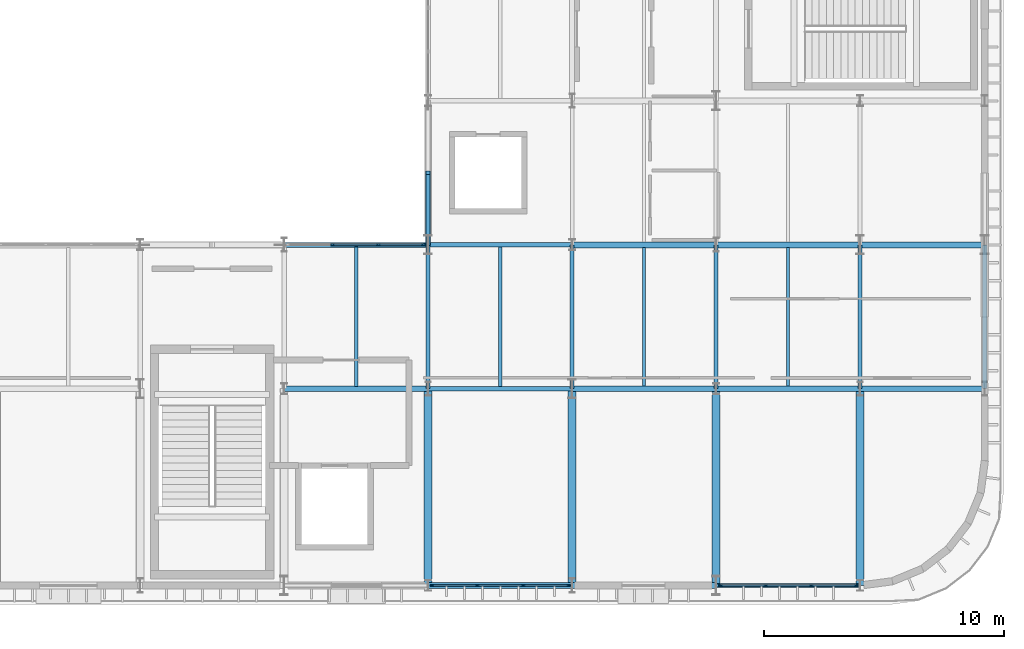
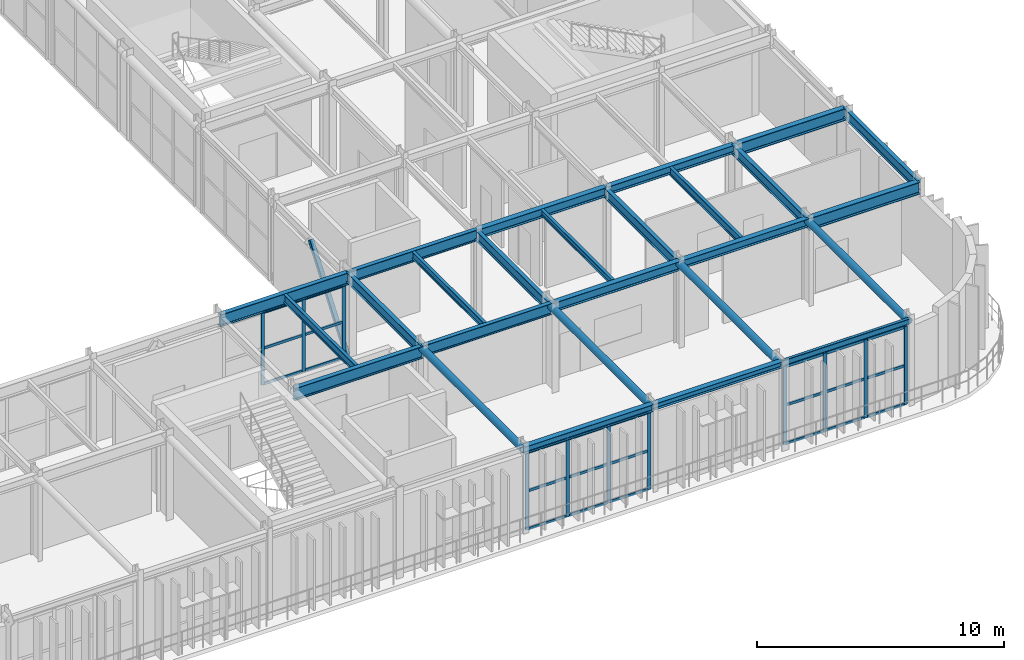
# One storey, part 42 of 84: 36 members, 26 beams, 3 elements without a shape of their own.
"""IFC4 building model written with IfcOpenShell, lengths in metres."""

from ifc_helpers import new_model, si_unit, direction, frame, origin, origin_2d, place, context, subcontext, project, spatial, rectangle, hollow_rectangle, hollow_circle, i_section, extrude, material, material_profile, profile_set, type_object, element, aggregate, save


model = new_model("IFC4")

# Units and contexts
model_context = context("Model", 3, precision=1e-05, world=origin(), true_north=direction((0.0, 1.0)))
body_context = subcontext(model_context, "Body", "Model", "MODEL_VIEW")
ifc_project = project(units=[si_unit("LENGTHUNIT", "METRE"), si_unit("AREAUNIT", "SQUARE_METRE"), si_unit("VOLUMEUNIT", "CUBIC_METRE"), si_unit("PLANEANGLEUNIT", "RADIAN"), si_unit("MASSUNIT", "GRAM", prefix="KILO")], contexts=[model_context])

# Site, building, storey
site_placement = place(None, origin())
site = spatial("IfcSite", under=ifc_project, at=site_placement, CompositionType="ELEMENT")
building_placement = place(site_placement, origin())
building = spatial("IfcBuilding", under=site, at=building_placement, Name="Varnakota Square Police Headquarters", CompositionType="ELEMENT")
storey_placement = place(building_placement, frame((0.0, 0.0, 13.5)))
storey = spatial("IfcBuildingStorey", under=building, at=storey_placement, Name="L03", CompositionType="ELEMENT", Elevation=13.5)

# Beams
ifc_material_1 = material(Name="Steel IS 2062 Grade 350", Category="steel")
ifc_material_profile_1 = material_profile(ifc_material_1, hollow_circle(Radius=0.161865234375, WallThickness=0.0126953125, at=origin_2d()), Name="CHS 323.9x12.7")
ifc_profile_set_1 = profile_set([ifc_material_profile_1], Name="Steel IS 2062 Grade 350")
beam_type_1 = type_object("IfcBeamType", Name="BM-ARC-CHS324", PredefinedType="BEAM", material=ifc_profile_set_1)
for number, where, z_axis, x_axis, name in (
    (1, (138.0, 0.800048828125, 4.0380859375), (0.0, 1.0, 0.0), (-1.0, 0.0, 0.0), "BMG-L03-2713"),
    (2, (144.0, 0.800048828125, 4.0380859375), (0.0, 1.0, 0.0), (-1.0, 0.0, 0.0), "BMG-L03-2727"),
    (3, (150.0, 0.800048828125, 4.0380859375), (0.0, 1.0, 0.0), (-1.0, 0.0, 0.0), "BMG-L03-2741"),
    (4, (156.0, 0.800048828125, 4.0380859375), (0.0, 1.0, 0.0), (-1.0, 0.0, 0.0), "BMG-L03-2748"),
):
    element("IfcBeam", number, at=place(storey_placement, frame(where, z_axis=z_axis, x_axis=x_axis)), inside=storey, type_object=beam_type_1, Name=name, PredefinedType="BEAM", context=body_context, shape_type="SweptSolid", body=[
        extrude(hollow_circle(Radius=0.161865234375, WallThickness=0.0126953125, at=origin_2d()), origin(), (0.0, 0.0, 1.0), 8.199951171875),
    ])
ifc_material_profile_2 = material_profile(ifc_material_1, hollow_rectangle(XDim=0.14990234375, YDim=0.25, WallThickness=0.010009765625, InnerFilletRadius=0.010009765625, OuterFilletRadius=0.02001953125, at=origin_2d()), Name="RHS 250x150x10")
ifc_profile_set_2 = profile_set([ifc_material_profile_2], Name="Steel IS 2062 Grade 350")
beam_type_2 = type_object("IfcBeamType", Name="BM-CBEAM-RHS250", PredefinedType="BEAM", material=ifc_profile_set_2)
beam_1_placement = place(storey_placement, frame((150.0, 0.800048828125, 4.074951171875), z_axis=(1.0, 0.0, 0.0), x_axis=(0.0, 1.0, 0.0)))
element("IfcBeam", 5, at=beam_1_placement, inside=storey, type_object=beam_type_2, Name="BMG-L03-2427", PredefinedType="BEAM", context=body_context, shape_type="SweptSolid", body=[
    extrude(hollow_rectangle(XDim=0.14990234375, YDim=0.25, WallThickness=0.010009765625, InnerFilletRadius=0.010009765625, OuterFilletRadius=0.02001953125, at=origin_2d()), origin(), (0.0, 0.0, 1.0), 6.0),
])
ifc_material_profile_3 = material_profile(ifc_material_1, i_section(OverallWidth=0.25, OverallDepth=0.300048828125, WebThickness=0.009521484375, FlangeThickness=0.010498046875, FilletRadius=0.011962890625, at=origin_2d()), Name="ISHB 300")
ifc_profile_set_3 = profile_set([ifc_material_profile_3], Name="Steel IS 2062 Grade 350")
beam_type_3 = type_object("IfcBeamType", Name="BM-ISHB300", PredefinedType="BEAM", material=ifc_profile_set_3)
beam_2_placement = place(storey_placement, frame((144.0, 0.800048828125, 4.050048828125), z_axis=(1.0, 0.0, 0.0), x_axis=(0.0, 1.0, 0.0)))
element("IfcBeam", 6, at=beam_2_placement, inside=storey, type_object=beam_type_3, Name="BMG-L03-2426", PredefinedType="BEAM", context=body_context, shape_type="SweptSolid", body=[
    extrude(i_section(OverallWidth=0.25, OverallDepth=0.300048828125, WebThickness=0.009521484375, FlangeThickness=0.010498046875, FilletRadius=0.011962890625, at=origin_2d()), origin(), (0.0, 0.0, 1.0), 6.0),
])
ifc_material_profile_4 = material_profile(ifc_material_1, i_section(OverallWidth=0.25, OverallDepth=0.35009765625, WebThickness=0.010009765625, FlangeThickness=0.01171875, FilletRadius=0.011962890625, at=origin_2d()), Name="ISHB 350")
ifc_profile_set_4 = profile_set([ifc_material_profile_4], Name="Steel IS 2062 Grade 350")
beam_type_4 = type_object("IfcBeamType", Name="BM-ISHB350", PredefinedType="BEAM", material=ifc_profile_set_4)
beam_3_placement = place(storey_placement, frame((138.0, 0.800048828125, 4.02490234375), z_axis=(1.0, 0.0, 0.0), x_axis=(0.0, 1.0, 0.0)))
element("IfcBeam", 7, at=beam_3_placement, inside=storey, type_object=beam_type_4, Name="BMG-L03-2425", PredefinedType="BEAM", context=body_context, shape_type="SweptSolid", body=[
    extrude(i_section(OverallWidth=0.25, OverallDepth=0.35009765625, WebThickness=0.010009765625, FlangeThickness=0.01171875, FilletRadius=0.011962890625, at=origin_2d()), origin(), (0.0, 0.0, 1.0), 6.0),
])
ifc_material_profile_5 = material_profile(ifc_material_1, i_section(OverallWidth=0.25, OverallDepth=0.39990234375, WebThickness=0.010498046875, FlangeThickness=0.0126953125, FilletRadius=0.013916015625, at=origin_2d()), Name="ISHB 400")
ifc_profile_set_5 = profile_set([ifc_material_profile_5], Name="Steel IS 2062 Grade 350")
beam_type_5 = type_object("IfcBeamType", Name="BM-ISHB400", PredefinedType="BEAM", material=ifc_profile_set_5)
for number, where, z_axis, x_axis, name in (
    (8, (150.0, 9.0, 4.0), (1.0, 0.0, 0.0), (0.0, 1.0, 0.0), "BMG-L03-2434"),
    (9, (150.0, 15.0, 4.0), (1.0, 0.0, 0.0), (0.0, 1.0, 0.0), "BMG-L03-2443"),
):
    element("IfcBeam", number, at=place(storey_placement, frame(where, z_axis=z_axis, x_axis=x_axis)), inside=storey, type_object=beam_type_5, Name=name, PredefinedType="BEAM", context=body_context, shape_type="SweptSolid", body=[
        extrude(i_section(OverallWidth=0.25, OverallDepth=0.39990234375, WebThickness=0.010498046875, FlangeThickness=0.0126953125, FilletRadius=0.013916015625, at=origin_2d()), origin(), (0.0, 0.0, 1.0), 6.0),
    ])
ifc_material_profile_6 = material_profile(ifc_material_1, i_section(OverallWidth=0.25, OverallDepth=0.449951171875, WebThickness=0.01123046875, FlangeThickness=0.013671875, FilletRadius=0.014892578125, at=origin_2d()), Name="ISHB 450")
ifc_profile_set_6 = profile_set([ifc_material_profile_6], Name="Steel IS 2062 Grade 350")
beam_type_6 = type_object("IfcBeamType", Name="BM-ISHB450", PredefinedType="BEAM", material=ifc_profile_set_6)
for number, where, z_axis, x_axis, name in (
    (10, (144.0, 9.0, 3.97509765625), (1.0, 0.0, 0.0), (0.0, 1.0, 0.0), "BMG-L03-2433"),
    (11, (144.0, 15.0, 3.97509765625), (1.0, 0.0, 0.0), (0.0, 1.0, 0.0), "BMG-L03-2442"),
):
    element("IfcBeam", number, at=place(storey_placement, frame(where, z_axis=z_axis, x_axis=x_axis)), inside=storey, type_object=beam_type_6, Name=name, PredefinedType="BEAM", context=body_context, shape_type="SweptSolid", body=[
        extrude(i_section(OverallWidth=0.25, OverallDepth=0.449951171875, WebThickness=0.01123046875, FlangeThickness=0.013671875, FilletRadius=0.014892578125, at=origin_2d()), origin(), (0.0, 0.0, 1.0), 6.0),
    ])
ifc_material_profile_7 = material_profile(ifc_material_1, i_section(OverallWidth=0.139892578125, OverallDepth=0.300048828125, WebThickness=0.0078125, FlangeThickness=0.01318359375, FilletRadius=0.013916015625, at=origin_2d()), Name="ISMB 300")
ifc_profile_set_7 = profile_set([ifc_material_profile_7], Name="Steel IS 2062 Grade 350")
beam_type_7 = type_object("IfcBeamType", Name="BM-ISMB300", PredefinedType="JOIST", material=ifc_profile_set_7)
beam_4_placement = place(storey_placement, frame((147.0, 9.123046875, 4.050048828125), z_axis=(0.0, 1.0, 0.0), x_axis=(-1.0, 0.0, 0.0)))
element("IfcBeam", 12, at=beam_4_placement, inside=storey, type_object=beam_type_7, Name="BMG-L03-2832", PredefinedType="JOIST", context=body_context, shape_type="SweptSolid", body=[
    extrude(i_section(OverallWidth=0.139892578125, OverallDepth=0.300048828125, WebThickness=0.0078125, FlangeThickness=0.01318359375, FilletRadius=0.013916015625, at=origin_2d()), origin(), (0.0, 0.0, 1.0), 5.75390625),
])
ifc_material_profile_8 = material_profile(ifc_material_1, i_section(OverallWidth=0.139892578125, OverallDepth=0.35009765625, WebThickness=0.008056640625, FlangeThickness=0.01416015625, FilletRadius=0.013916015625, at=origin_2d()), Name="ISMB 350")
ifc_profile_set_8 = profile_set([ifc_material_profile_8], Name="Steel IS 2062 Grade 350")
beam_type_8 = type_object("IfcBeamType", Name="BM-ISMB350", PredefinedType="JOIST", material=ifc_profile_set_8)
beam_5_placement = place(storey_placement, frame((141.0, 9.093017578125, 4.02490234375), z_axis=(0.0, 1.0, 0.0), x_axis=(-1.0, 0.0, 0.0)))
element("IfcBeam", 13, at=beam_5_placement, inside=storey, type_object=beam_type_8, Name="BMG-L03-2823", PredefinedType="JOIST", context=body_context, shape_type="SweptSolid", body=[
    extrude(i_section(OverallWidth=0.139892578125, OverallDepth=0.35009765625, WebThickness=0.008056640625, FlangeThickness=0.01416015625, FilletRadius=0.013916015625, at=origin_2d()), origin(), (0.0, 0.0, 1.0), 5.81396484375),
])
ifc_material_profile_9 = material_profile(ifc_material_1, i_section(OverallWidth=0.139892578125, OverallDepth=0.39990234375, WebThickness=0.0087890625, FlangeThickness=0.01611328125, FilletRadius=0.013916015625, at=origin_2d()), Name="ISMB 400")
ifc_profile_set_9 = profile_set([ifc_material_profile_9], Name="Steel IS 2062 Grade 350")
beam_type_9 = type_object("IfcBeamType", Name="BM-ISMB400", PredefinedType="JOIST", material=ifc_profile_set_9)
beam_6_placement = place(storey_placement, frame((135.0, 9.10302734375, 4.0), z_axis=(0.0, 1.0, 0.0), x_axis=(-1.0, 0.0, 0.0)))
element("IfcBeam", 14, at=beam_6_placement, inside=storey, type_object=beam_type_9, Name="BMG-L03-2817", PredefinedType="JOIST", context=body_context, shape_type="SweptSolid", body=[
    extrude(i_section(OverallWidth=0.139892578125, OverallDepth=0.39990234375, WebThickness=0.0087890625, FlangeThickness=0.01611328125, FilletRadius=0.013916015625, at=origin_2d()), origin(), (0.0, 0.0, 1.0), 5.7939453125),
])
beam_7_placement = place(storey_placement, frame((153.0, 9.123046875, 4.0), z_axis=(0.0, 1.0, 0.0), x_axis=(-1.0, 0.0, 0.0)))
element("IfcBeam", 15, at=beam_7_placement, inside=storey, type_object=beam_type_9, Name="BMG-L03-2838", PredefinedType="JOIST", context=body_context, shape_type="SweptSolid", body=[
    extrude(i_section(OverallWidth=0.139892578125, OverallDepth=0.39990234375, WebThickness=0.0087890625, FlangeThickness=0.01611328125, FilletRadius=0.013916015625, at=origin_2d()), origin(), (0.0, 0.0, 1.0), 5.75390625),
])
ifc_material_profile_10 = material_profile(ifc_material_1, i_section(OverallWidth=0.179931640625, OverallDepth=0.5, WebThickness=0.01025390625, FlangeThickness=0.01708984375, FilletRadius=0.01708984375, at=origin_2d()), Name="ISMB 500")
ifc_profile_set_10 = profile_set([ifc_material_profile_10], Name="Steel IS 2062 Grade 350")
beam_type_10 = type_object("IfcBeamType", Name="BM-ISMB500", PredefinedType="BEAM", material=ifc_profile_set_10)
for number, where, z_axis, x_axis, name in (
    (16, (138.0, 9.0, 3.949951171875), (0.0, 1.0, 0.0), (-1.0, 0.0, 0.0), "BMG-L03-2714"),
    (17, (144.0, 9.0, 3.949951171875), (0.0, 1.0, 0.0), (-1.0, 0.0, 0.0), "BMG-L03-2728"),
    (18, (150.0, 9.0, 3.949951171875), (0.0, 1.0, 0.0), (-1.0, 0.0, 0.0), "BMG-L03-2742"),
    (19, (156.0, 9.0, 3.949951171875), (0.0, 1.0, 0.0), (-1.0, 0.0, 0.0), "BMG-L03-2749"),
    (20, (161.199951171875, 9.0, 3.949951171875), (0.0, 1.0, 0.0), (-1.0, 0.0, 0.0), "BMG-L03-2753"),
):
    element("IfcBeam", number, at=place(storey_placement, frame(where, z_axis=z_axis, x_axis=x_axis)), inside=storey, type_object=beam_type_10, Name=name, PredefinedType="BEAM", context=body_context, shape_type="SweptSolid", body=[
        extrude(i_section(OverallWidth=0.179931640625, OverallDepth=0.5, WebThickness=0.01025390625, FlangeThickness=0.01708984375, FilletRadius=0.01708984375, at=origin_2d()), origin(), (0.0, 0.0, 1.0), 6.0),
    ])
ifc_material_profile_11 = material_profile(ifc_material_1, i_section(OverallWidth=0.18994140625, OverallDepth=0.550048828125, WebThickness=0.01123046875, FlangeThickness=0.019287109375, FilletRadius=0.01806640625, at=origin_2d()), Name="ISMB 550")
ifc_profile_set_11 = profile_set([ifc_material_profile_11], Name="Steel IS 2062 Grade 350")
beam_type_11 = type_object("IfcBeamType", Name="BM-ISMB550", PredefinedType="BEAM", material=ifc_profile_set_11)
for number, where, z_axis, x_axis, name in (
    (21, (138.0, 9.0, 3.925048828125), (1.0, 0.0, 0.0), (0.0, 1.0, 0.0), "BMG-L03-2432"),
    (22, (138.0, 15.0, 3.925048828125), (1.0, 0.0, 0.0), (0.0, 1.0, 0.0), "BMG-L03-2441"),
):
    element("IfcBeam", number, at=place(storey_placement, frame(where, z_axis=z_axis, x_axis=x_axis)), inside=storey, type_object=beam_type_11, Name=name, PredefinedType="BEAM", context=body_context, shape_type="SweptSolid", body=[
        extrude(i_section(OverallWidth=0.18994140625, OverallDepth=0.550048828125, WebThickness=0.01123046875, FlangeThickness=0.019287109375, FilletRadius=0.01806640625, at=origin_2d()), origin(), (0.0, 0.0, 1.0), 6.0),
    ])
ifc_material_profile_12 = material_profile(ifc_material_1, i_section(OverallWidth=0.2099609375, OverallDepth=0.60009765625, WebThickness=0.011962890625, FlangeThickness=0.020751953125, FilletRadius=0.02001953125, at=origin_2d()), Name="ISMB 600")
ifc_profile_set_12 = profile_set([ifc_material_profile_12], Name="Steel IS 2062 Grade 350")
beam_type_12 = type_object("IfcBeamType", Name="BM-ISMB600", PredefinedType="BEAM", material=ifc_profile_set_12)
for number, where, z_axis, x_axis, name in (
    (23, (132.0, 9.0, 3.89990234375), (1.0, 0.0, 0.0), (0.0, 1.0, 0.0), "BMG-L03-2431"),
    (24, (132.0, 15.0, 3.89990234375), (1.0, 0.0, 0.0), (0.0, 1.0, 0.0), "BMG-L03-2440"),
):
    element("IfcBeam", number, at=place(storey_placement, frame(where, z_axis=z_axis, x_axis=x_axis)), inside=storey, type_object=beam_type_12, Name=name, PredefinedType="BEAM", context=body_context, shape_type="SweptSolid", body=[
        extrude(i_section(OverallWidth=0.2099609375, OverallDepth=0.60009765625, WebThickness=0.011962890625, FlangeThickness=0.020751953125, FilletRadius=0.02001953125, at=origin_2d()), origin(), (0.0, 0.0, 1.0), 6.0),
    ])
ifc_material_profile_13 = material_profile(ifc_material_1, i_section(OverallWidth=0.25, OverallDepth=0.60009765625, WebThickness=0.01171875, FlangeThickness=0.023681640625, FilletRadius=0.01708984375, at=origin_2d()), Name="ISWB 600")
ifc_profile_set_13 = profile_set([ifc_material_profile_13], Name="Steel IS 2062 Grade 350")
beam_type_13 = type_object("IfcBeamType", Name="BM-ISWB600", PredefinedType="BEAM", material=ifc_profile_set_13)
for number, where, z_axis, x_axis, name in (
    (25, (156.0, 9.0, 3.89990234375), (1.0, 0.0, 0.0), (0.0, 1.0, 0.0), "BMG-L03-2435"),
    (26, (156.0, 15.0, 3.89990234375), (1.0, 0.0, 0.0), (0.0, 1.0, 0.0), "BMG-L03-2444"),
):
    element("IfcBeam", number, at=place(storey_placement, frame(where, z_axis=z_axis, x_axis=x_axis)), inside=storey, type_object=beam_type_13, Name=name, PredefinedType="BEAM", context=body_context, shape_type="SweptSolid", body=[
        extrude(i_section(OverallWidth=0.25, OverallDepth=0.60009765625, WebThickness=0.01171875, FlangeThickness=0.023681640625, FilletRadius=0.01708984375, at=origin_2d()), origin(), (0.0, 0.0, 1.0), 5.199951171875),
    ])

# Curtain wall, members
ifc_material_2 = material(Name="Anodised Aluminium Framing", Category="aluminium")
curtain_wall_type_1 = type_object("IfcCurtainWallType", Name="CW-SYS-C", PredefinedType="NOTDEFINED", material=ifc_material_2)
curtain_wall_1_placement = place(storey_placement, origin())
curtain_wall_1 = element("IfcCurtainWall", 27, at=curtain_wall_1_placement, inside=storey, type_object=curtain_wall_type_1, Name="Unitised curtain wall CWG-L03-078", PredefinedType="NOTDEFINED")
ifc_material_3 = material(Name="Anodised Aluminium 6063-T6", Category="aluminium")
ifc_material_profile_14 = material_profile(ifc_material_3, rectangle(XDim=0.06494140625, YDim=0.159912109375, at=origin_2d()), Name="ALU MULLION 65x160")
ifc_profile_set_14 = profile_set([ifc_material_profile_14], Name="Anodised Aluminium 6063-T6")
member_type_1 = type_object("IfcMemberType", Name="CWM-150", PredefinedType="MULLION", material=ifc_profile_set_14)
member_1_placement = place(storey_placement, frame((138.16259765625, 0.800048828125, 0.0), z_axis=(0.0, 0.0, 1.0), x_axis=(0.0, 1.0, 0.0)))
member_1 = element("IfcMember", 28, at=member_1_placement, type_object=member_type_1, Name="CWG-L03-078 mullion 1", PredefinedType="MULLION", context=body_context, shape_type="SweptSolid", body=[
    extrude(rectangle(XDim=0.06494140625, YDim=0.159912109375, at=origin_2d()), origin(), (0.0, 0.0, 1.0), 3.840087890625),
])
member_2_placement = place(storey_placement, frame((140.050048828125, 0.800048828125, 0.0), z_axis=(0.0, 0.0, 1.0), x_axis=(0.0, 1.0, 0.0)))
member_2 = element("IfcMember", 29, at=member_2_placement, type_object=member_type_1, Name="CWG-L03-078 mullion 2", PredefinedType="MULLION", context=body_context, shape_type="SweptSolid", body=[
    extrude(rectangle(XDim=0.06494140625, YDim=0.159912109375, at=origin_2d()), origin(), (0.0, 0.0, 1.0), 3.840087890625),
])
member_3_placement = place(storey_placement, frame((141.969970703125, 0.800048828125, 0.0), z_axis=(0.0, 0.0, 1.0), x_axis=(0.0, 1.0, 0.0)))
member_3 = element("IfcMember", 30, at=member_3_placement, type_object=member_type_1, Name="CWG-L03-078 mullion 3", PredefinedType="MULLION", context=body_context, shape_type="SweptSolid", body=[
    extrude(rectangle(XDim=0.06494140625, YDim=0.159912109375, at=origin_2d()), origin(), (0.0, 0.0, 1.0), 3.840087890625),
])
member_4_placement = place(storey_placement, frame((143.857421875, 0.800048828125, 0.0), z_axis=(0.0, 0.0, 1.0), x_axis=(0.0, 1.0, 0.0)))
member_4 = element("IfcMember", 31, at=member_4_placement, type_object=member_type_1, Name="CWG-L03-078 mullion 4", PredefinedType="MULLION", context=body_context, shape_type="SweptSolid", body=[
    extrude(rectangle(XDim=0.06494140625, YDim=0.159912109375, at=origin_2d()), origin(), (0.0, 0.0, 1.0), 3.840087890625),
])

curtain_wall_2_placement = place(storey_placement, origin())
curtain_wall_2 = element("IfcCurtainWall", 32, at=curtain_wall_2_placement, inside=storey, type_object=curtain_wall_type_1, Name="Unitised curtain wall CWG-L03-079", PredefinedType="NOTDEFINED")
member_5_placement = place(storey_placement, frame((150.197509765625, 0.800048828125, 0.0), z_axis=(0.0, 0.0, 1.0), x_axis=(0.0, 1.0, 0.0)))
member_5 = element("IfcMember", 33, at=member_5_placement, type_object=member_type_1, Name="CWG-L03-079 mullion 1", PredefinedType="MULLION", context=body_context, shape_type="SweptSolid", body=[
    extrude(rectangle(XDim=0.06494140625, YDim=0.159912109375, at=origin_2d()), origin(), (0.0, 0.0, 1.0), 3.8662109375),
])
member_6_placement = place(storey_placement, frame((152.066650390625, 0.800048828125, 0.0), z_axis=(0.0, 0.0, 1.0), x_axis=(0.0, 1.0, 0.0)))
member_6 = element("IfcMember", 34, at=member_6_placement, type_object=member_type_1, Name="CWG-L03-079 mullion 2", PredefinedType="MULLION", context=body_context, shape_type="SweptSolid", body=[
    extrude(rectangle(XDim=0.06494140625, YDim=0.159912109375, at=origin_2d()), origin(), (0.0, 0.0, 1.0), 3.8662109375),
])
member_7_placement = place(storey_placement, frame((153.96826171875, 0.800048828125, 0.0), z_axis=(0.0, 0.0, 1.0), x_axis=(0.0, 1.0, 0.0)))
member_7 = element("IfcMember", 35, at=member_7_placement, type_object=member_type_1, Name="CWG-L03-079 mullion 3", PredefinedType="MULLION", context=body_context, shape_type="SweptSolid", body=[
    extrude(rectangle(XDim=0.06494140625, YDim=0.159912109375, at=origin_2d()), origin(), (0.0, 0.0, 1.0), 3.8662109375),
])
member_8_placement = place(storey_placement, frame((155.83740234375, 0.800048828125, 0.0), z_axis=(0.0, 0.0, 1.0), x_axis=(0.0, 1.0, 0.0)))
member_8 = element("IfcMember", 36, at=member_8_placement, type_object=member_type_1, Name="CWG-L03-079 mullion 4", PredefinedType="MULLION", context=body_context, shape_type="SweptSolid", body=[
    extrude(rectangle(XDim=0.06494140625, YDim=0.159912109375, at=origin_2d()), origin(), (0.0, 0.0, 1.0), 3.8662109375),
])

curtain_wall_type_2 = type_object("IfcCurtainWallType", Name="CW-SYS-D", PredefinedType="NOTDEFINED", material=ifc_material_2)
curtain_wall_3_placement = place(storey_placement, origin())
curtain_wall_3 = element("IfcCurtainWall", 37, at=curtain_wall_3_placement, inside=storey, type_object=curtain_wall_type_2, Name="Unitised curtain wall CWG-L03-083", PredefinedType="NOTDEFINED")
member_9_placement = place(storey_placement, frame((134.018310546875, 15.0, 0.0), z_axis=(0.0, 0.0, 1.0), x_axis=(0.0, 1.0, 0.0)))
member_9 = element("IfcMember", 38, at=member_9_placement, type_object=member_type_1, Name="CWG-L03-083 mullion 2", PredefinedType="MULLION", context=body_context, shape_type="SweptSolid", body=[
    extrude(rectangle(XDim=0.06494140625, YDim=0.159912109375, at=origin_2d()), origin(), (0.0, 0.0, 1.0), 3.590087890625),
])
member_10_placement = place(storey_placement, frame((135.9267578125, 15.0, 0.0), z_axis=(0.0, 0.0, 1.0), x_axis=(0.0, 1.0, 0.0)))
member_10 = element("IfcMember", 39, at=member_10_placement, type_object=member_type_1, Name="CWG-L03-083 mullion 3", PredefinedType="MULLION", context=body_context, shape_type="SweptSolid", body=[
    extrude(rectangle(XDim=0.06494140625, YDim=0.159912109375, at=origin_2d()), origin(), (0.0, 0.0, 1.0), 3.590087890625),
])
member_11_placement = place(storey_placement, frame((137.802490234375, 15.0, 0.0), z_axis=(0.0, 0.0, 1.0), x_axis=(0.0, 1.0, 0.0)))
member_11 = element("IfcMember", 40, at=member_11_placement, type_object=member_type_1, Name="CWG-L03-083 mullion 4", PredefinedType="MULLION", context=body_context, shape_type="SweptSolid", body=[
    extrude(rectangle(XDim=0.06494140625, YDim=0.159912109375, at=origin_2d()), origin(), (0.0, 0.0, 1.0), 3.590087890625),
])

# Member
ifc_material_profile_15 = material_profile(ifc_material_3, rectangle(XDim=0.06494140625, YDim=0.1298828125, at=origin_2d()), Name="ALU TRANSOM 65x130")
ifc_profile_set_15 = profile_set([ifc_material_profile_15], Name="Anodised Aluminium 6063-T6")
member_type_2 = type_object("IfcMemberType", Name="CWT-120", PredefinedType="USERDEFINED", material=ifc_profile_set_15)
member_12_placement = place(storey_placement, frame((138.195068359375, 0.800048828125, 0.032470703125), z_axis=(1.0, 0.0, 0.0), x_axis=(0.0, 1.0, 0.0)))
member_12 = element("IfcMember", 41, at=member_12_placement, type_object=member_type_2, Name="CWG-L03-078 transom 1.1", ObjectType="TRANSOM", PredefinedType="USERDEFINED", context=body_context, shape_type="SweptSolid", body=[
    extrude(rectangle(XDim=0.06494140625, YDim=0.1298828125, at=origin_2d()), origin(), (0.0, 0.0, 1.0), 1.822509765625),
])

member_13_placement = place(storey_placement, frame((138.195068359375, 0.800048828125, 1.919921875), z_axis=(1.0, 0.0, 0.0), x_axis=(0.0, 1.0, 0.0)))
member_13 = element("IfcMember", 42, at=member_13_placement, type_object=member_type_2, Name="CWG-L03-078 transom 1.2", ObjectType="TRANSOM", PredefinedType="USERDEFINED", context=body_context, shape_type="SweptSolid", body=[
    extrude(rectangle(XDim=0.06494140625, YDim=0.1298828125, at=origin_2d()), origin(), (0.0, 0.0, 1.0), 1.822509765625),
])

member_14_placement = place(storey_placement, frame((138.195068359375, 0.800048828125, 3.8076171875), z_axis=(1.0, 0.0, 0.0), x_axis=(0.0, 1.0, 0.0)))
member_14 = element("IfcMember", 43, at=member_14_placement, type_object=member_type_2, Name="CWG-L03-078 transom 1.3", ObjectType="TRANSOM", PredefinedType="USERDEFINED", context=body_context, shape_type="SweptSolid", body=[
    extrude(rectangle(XDim=0.06494140625, YDim=0.1298828125, at=origin_2d()), origin(), (0.0, 0.0, 1.0), 1.822509765625),
])

member_15_placement = place(storey_placement, frame((140.08251953125, 0.800048828125, 0.032470703125), z_axis=(1.0, 0.0, 0.0), x_axis=(0.0, 1.0, 0.0)))
member_15 = element("IfcMember", 44, at=member_15_placement, type_object=member_type_2, Name="CWG-L03-078 transom 2.1", ObjectType="TRANSOM", PredefinedType="USERDEFINED", context=body_context, shape_type="SweptSolid", body=[
    extrude(rectangle(XDim=0.06494140625, YDim=0.1298828125, at=origin_2d()), origin(), (0.0, 0.0, 1.0), 1.85498046875),
])

member_16_placement = place(storey_placement, frame((140.08251953125, 0.800048828125, 1.919921875), z_axis=(1.0, 0.0, 0.0), x_axis=(0.0, 1.0, 0.0)))
member_16 = element("IfcMember", 45, at=member_16_placement, type_object=member_type_2, Name="CWG-L03-078 transom 2.2", ObjectType="TRANSOM", PredefinedType="USERDEFINED", context=body_context, shape_type="SweptSolid", body=[
    extrude(rectangle(XDim=0.06494140625, YDim=0.1298828125, at=origin_2d()), origin(), (0.0, 0.0, 1.0), 1.85498046875),
])

member_17_placement = place(storey_placement, frame((140.08251953125, 0.800048828125, 3.8076171875), z_axis=(1.0, 0.0, 0.0), x_axis=(0.0, 1.0, 0.0)))
member_17 = element("IfcMember", 46, at=member_17_placement, type_object=member_type_2, Name="CWG-L03-078 transom 2.3", ObjectType="TRANSOM", PredefinedType="USERDEFINED", context=body_context, shape_type="SweptSolid", body=[
    extrude(rectangle(XDim=0.06494140625, YDim=0.1298828125, at=origin_2d()), origin(), (0.0, 0.0, 1.0), 1.85498046875),
])

member_18_placement = place(storey_placement, frame((142.00244140625, 0.800048828125, 0.032470703125), z_axis=(1.0, 0.0, 0.0), x_axis=(0.0, 1.0, 0.0)))
member_18 = element("IfcMember", 47, at=member_18_placement, type_object=member_type_2, Name="CWG-L03-078 transom 3.1", ObjectType="TRANSOM", PredefinedType="USERDEFINED", context=body_context, shape_type="SweptSolid", body=[
    extrude(rectangle(XDim=0.06494140625, YDim=0.1298828125, at=origin_2d()), origin(), (0.0, 0.0, 1.0), 1.822509765625),
])

member_19_placement = place(storey_placement, frame((142.00244140625, 0.800048828125, 1.919921875), z_axis=(1.0, 0.0, 0.0), x_axis=(0.0, 1.0, 0.0)))
member_19 = element("IfcMember", 48, at=member_19_placement, type_object=member_type_2, Name="CWG-L03-078 transom 3.2", ObjectType="TRANSOM", PredefinedType="USERDEFINED", context=body_context, shape_type="SweptSolid", body=[
    extrude(rectangle(XDim=0.06494140625, YDim=0.1298828125, at=origin_2d()), origin(), (0.0, 0.0, 1.0), 1.822509765625),
])

member_20_placement = place(storey_placement, frame((142.00244140625, 0.800048828125, 3.8076171875), z_axis=(1.0, 0.0, 0.0), x_axis=(0.0, 1.0, 0.0)))
member_20 = element("IfcMember", 49, at=member_20_placement, type_object=member_type_2, Name="CWG-L03-078 transom 3.3", ObjectType="TRANSOM", PredefinedType="USERDEFINED", context=body_context, shape_type="SweptSolid", body=[
    extrude(rectangle(XDim=0.06494140625, YDim=0.1298828125, at=origin_2d()), origin(), (0.0, 0.0, 1.0), 1.822509765625),
])

aggregate(curtain_wall_1, [member_1, member_2, member_3, member_4, member_12, member_13, member_14, member_15, member_16, member_17, member_18, member_19, member_20])

member_21_placement = place(storey_placement, frame((150.22998046875, 0.800048828125, 0.032470703125), z_axis=(1.0, 0.0, 0.0), x_axis=(0.0, 1.0, 0.0)))
member_21 = element("IfcMember", 50, at=member_21_placement, type_object=member_type_2, Name="CWG-L03-079 transom 1.1", ObjectType="TRANSOM", PredefinedType="USERDEFINED", context=body_context, shape_type="SweptSolid", body=[
    extrude(rectangle(XDim=0.06494140625, YDim=0.1298828125, at=origin_2d()), origin(), (0.0, 0.0, 1.0), 1.80419921875),
])

member_22_placement = place(storey_placement, frame((150.22998046875, 0.800048828125, 1.93310546875), z_axis=(1.0, 0.0, 0.0), x_axis=(0.0, 1.0, 0.0)))
member_22 = element("IfcMember", 51, at=member_22_placement, type_object=member_type_2, Name="CWG-L03-079 transom 1.2", ObjectType="TRANSOM", PredefinedType="USERDEFINED", context=body_context, shape_type="SweptSolid", body=[
    extrude(rectangle(XDim=0.06494140625, YDim=0.1298828125, at=origin_2d()), origin(), (0.0, 0.0, 1.0), 1.80419921875),
])

member_23_placement = place(storey_placement, frame((150.22998046875, 0.800048828125, 3.83349609375), z_axis=(1.0, 0.0, 0.0), x_axis=(0.0, 1.0, 0.0)))
member_23 = element("IfcMember", 52, at=member_23_placement, type_object=member_type_2, Name="CWG-L03-079 transom 1.3", ObjectType="TRANSOM", PredefinedType="USERDEFINED", context=body_context, shape_type="SweptSolid", body=[
    extrude(rectangle(XDim=0.06494140625, YDim=0.1298828125, at=origin_2d()), origin(), (0.0, 0.0, 1.0), 1.80419921875),
])

member_24_placement = place(storey_placement, frame((152.09912109375, 0.800048828125, 0.032470703125), z_axis=(1.0, 0.0, 0.0), x_axis=(0.0, 1.0, 0.0)))
member_24 = element("IfcMember", 53, at=member_24_placement, type_object=member_type_2, Name="CWG-L03-079 transom 2.1", ObjectType="TRANSOM", PredefinedType="USERDEFINED", context=body_context, shape_type="SweptSolid", body=[
    extrude(rectangle(XDim=0.06494140625, YDim=0.1298828125, at=origin_2d()), origin(), (0.0, 0.0, 1.0), 1.836669921875),
])

member_25_placement = place(storey_placement, frame((152.09912109375, 0.800048828125, 1.93310546875), z_axis=(1.0, 0.0, 0.0), x_axis=(0.0, 1.0, 0.0)))
member_25 = element("IfcMember", 54, at=member_25_placement, type_object=member_type_2, Name="CWG-L03-079 transom 2.2", ObjectType="TRANSOM", PredefinedType="USERDEFINED", context=body_context, shape_type="SweptSolid", body=[
    extrude(rectangle(XDim=0.06494140625, YDim=0.1298828125, at=origin_2d()), origin(), (0.0, 0.0, 1.0), 1.836669921875),
])

member_26_placement = place(storey_placement, frame((152.09912109375, 0.800048828125, 3.83349609375), z_axis=(1.0, 0.0, 0.0), x_axis=(0.0, 1.0, 0.0)))
member_26 = element("IfcMember", 55, at=member_26_placement, type_object=member_type_2, Name="CWG-L03-079 transom 2.3", ObjectType="TRANSOM", PredefinedType="USERDEFINED", context=body_context, shape_type="SweptSolid", body=[
    extrude(rectangle(XDim=0.06494140625, YDim=0.1298828125, at=origin_2d()), origin(), (0.0, 0.0, 1.0), 1.836669921875),
])

member_27_placement = place(storey_placement, frame((154.000732421875, 0.800048828125, 0.032470703125), z_axis=(1.0, 0.0, 0.0), x_axis=(0.0, 1.0, 0.0)))
member_27 = element("IfcMember", 56, at=member_27_placement, type_object=member_type_2, Name="CWG-L03-079 transom 3.1", ObjectType="TRANSOM", PredefinedType="USERDEFINED", context=body_context, shape_type="SweptSolid", body=[
    extrude(rectangle(XDim=0.06494140625, YDim=0.1298828125, at=origin_2d()), origin(), (0.0, 0.0, 1.0), 1.80419921875),
])

member_28_placement = place(storey_placement, frame((154.000732421875, 0.800048828125, 1.93310546875), z_axis=(1.0, 0.0, 0.0), x_axis=(0.0, 1.0, 0.0)))
member_28 = element("IfcMember", 57, at=member_28_placement, type_object=member_type_2, Name="CWG-L03-079 transom 3.2", ObjectType="TRANSOM", PredefinedType="USERDEFINED", context=body_context, shape_type="SweptSolid", body=[
    extrude(rectangle(XDim=0.06494140625, YDim=0.1298828125, at=origin_2d()), origin(), (0.0, 0.0, 1.0), 1.80419921875),
])

member_29_placement = place(storey_placement, frame((154.000732421875, 0.800048828125, 3.83349609375), z_axis=(1.0, 0.0, 0.0), x_axis=(0.0, 1.0, 0.0)))
member_29 = element("IfcMember", 58, at=member_29_placement, type_object=member_type_2, Name="CWG-L03-079 transom 3.3", ObjectType="TRANSOM", PredefinedType="USERDEFINED", context=body_context, shape_type="SweptSolid", body=[
    extrude(rectangle(XDim=0.06494140625, YDim=0.1298828125, at=origin_2d()), origin(), (0.0, 0.0, 1.0), 1.80419921875),
])

aggregate(curtain_wall_2, [member_5, member_6, member_7, member_8, member_21, member_22, member_23, member_24, member_25, member_26, member_27, member_28, member_29])

member_30_placement = place(storey_placement, frame((134.05078125, 15.0, 0.032470703125), z_axis=(1.0, 0.0, 0.0), x_axis=(0.0, 1.0, 0.0)))
member_30 = element("IfcMember", 59, at=member_30_placement, type_object=member_type_2, Name="CWG-L03-083 transom 2.1", ObjectType="TRANSOM", PredefinedType="USERDEFINED", context=body_context, shape_type="SweptSolid", body=[
    extrude(rectangle(XDim=0.06494140625, YDim=0.1298828125, at=origin_2d()), origin(), (0.0, 0.0, 1.0), 1.843505859375),
])

member_31_placement = place(storey_placement, frame((134.05078125, 15.0, 1.794921875), z_axis=(1.0, 0.0, 0.0), x_axis=(0.0, 1.0, 0.0)))
member_31 = element("IfcMember", 60, at=member_31_placement, type_object=member_type_2, Name="CWG-L03-083 transom 2.2", ObjectType="TRANSOM", PredefinedType="USERDEFINED", context=body_context, shape_type="SweptSolid", body=[
    extrude(rectangle(XDim=0.06494140625, YDim=0.1298828125, at=origin_2d()), origin(), (0.0, 0.0, 1.0), 1.843505859375),
])

member_32_placement = place(storey_placement, frame((134.05078125, 15.0, 3.5576171875), z_axis=(1.0, 0.0, 0.0), x_axis=(0.0, 1.0, 0.0)))
member_32 = element("IfcMember", 61, at=member_32_placement, type_object=member_type_2, Name="CWG-L03-083 transom 2.3", ObjectType="TRANSOM", PredefinedType="USERDEFINED", context=body_context, shape_type="SweptSolid", body=[
    extrude(rectangle(XDim=0.06494140625, YDim=0.1298828125, at=origin_2d()), origin(), (0.0, 0.0, 1.0), 1.843505859375),
])

member_33_placement = place(storey_placement, frame((135.959228515625, 15.0, 0.032470703125), z_axis=(1.0, 0.0, 0.0), x_axis=(0.0, 1.0, 0.0)))
member_33 = element("IfcMember", 62, at=member_33_placement, type_object=member_type_2, Name="CWG-L03-083 transom 3.1", ObjectType="TRANSOM", PredefinedType="USERDEFINED", context=body_context, shape_type="SweptSolid", body=[
    extrude(rectangle(XDim=0.06494140625, YDim=0.1298828125, at=origin_2d()), origin(), (0.0, 0.0, 1.0), 1.810791015625),
])

member_34_placement = place(storey_placement, frame((135.959228515625, 15.0, 1.794921875), z_axis=(1.0, 0.0, 0.0), x_axis=(0.0, 1.0, 0.0)))
member_34 = element("IfcMember", 63, at=member_34_placement, type_object=member_type_2, Name="CWG-L03-083 transom 3.2", ObjectType="TRANSOM", PredefinedType="USERDEFINED", context=body_context, shape_type="SweptSolid", body=[
    extrude(rectangle(XDim=0.06494140625, YDim=0.1298828125, at=origin_2d()), origin(), (0.0, 0.0, 1.0), 1.810791015625),
])

member_35_placement = place(storey_placement, frame((135.959228515625, 15.0, 3.5576171875), z_axis=(1.0, 0.0, 0.0), x_axis=(0.0, 1.0, 0.0)))
member_35 = element("IfcMember", 64, at=member_35_placement, type_object=member_type_2, Name="CWG-L03-083 transom 3.3", ObjectType="TRANSOM", PredefinedType="USERDEFINED", context=body_context, shape_type="SweptSolid", body=[
    extrude(rectangle(XDim=0.06494140625, YDim=0.1298828125, at=origin_2d()), origin(), (0.0, 0.0, 1.0), 1.810791015625),
])

aggregate(curtain_wall_3, [member_9, member_10, member_11, member_30, member_31, member_32, member_33, member_34, member_35])

ifc_material_profile_16 = material_profile(ifc_material_1, hollow_rectangle(XDim=0.199951171875, YDim=0.199951171875, WallThickness=0.010009765625, InnerFilletRadius=0.010009765625, OuterFilletRadius=0.02001953125, at=origin_2d()), Name="SHS 200x200x10")
ifc_profile_set_16 = profile_set([ifc_material_profile_16], Name="Steel IS 2062 Grade 350")
member_type_3 = type_object("IfcMemberType", Name="MEM-BR-SHS200", PredefinedType="BRACE", material=ifc_profile_set_16)
member_36_placement = place(storey_placement, frame((138.0, 15.050048828125, 0.02001953125), z_axis=(0.0, 0.600325874044, 0.79975549073), x_axis=(-1.0, 0.0, 0.0)))
element("IfcMember", 65, at=member_36_placement, inside=storey, type_object=member_type_3, Name="Lateral brace BF2 L03 left", PredefinedType="BRACE", context=body_context, shape_type="SweptSolid", body=[
    extrude(hollow_rectangle(XDim=0.199951171875, YDim=0.199951171875, WallThickness=0.010009765625, InnerFilletRadius=0.010009765625, OuterFilletRadius=0.02001953125, at=origin_2d()), origin(), (0.0, 0.0, 1.0), 4.913818359375),
])

save(model, "model.ifc")
